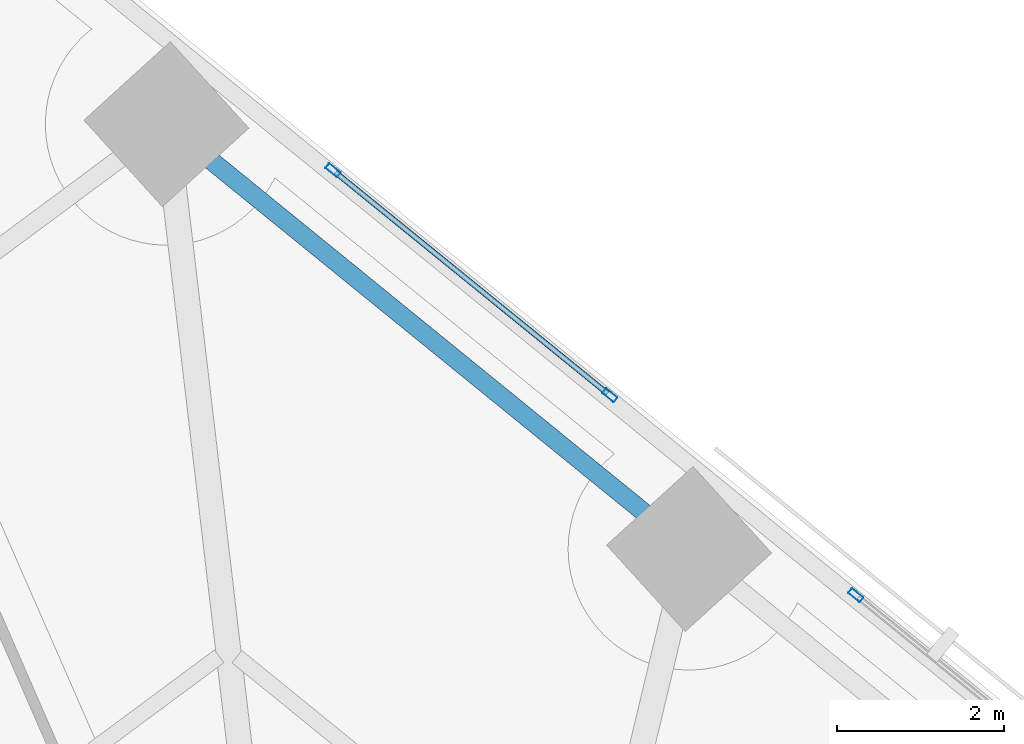
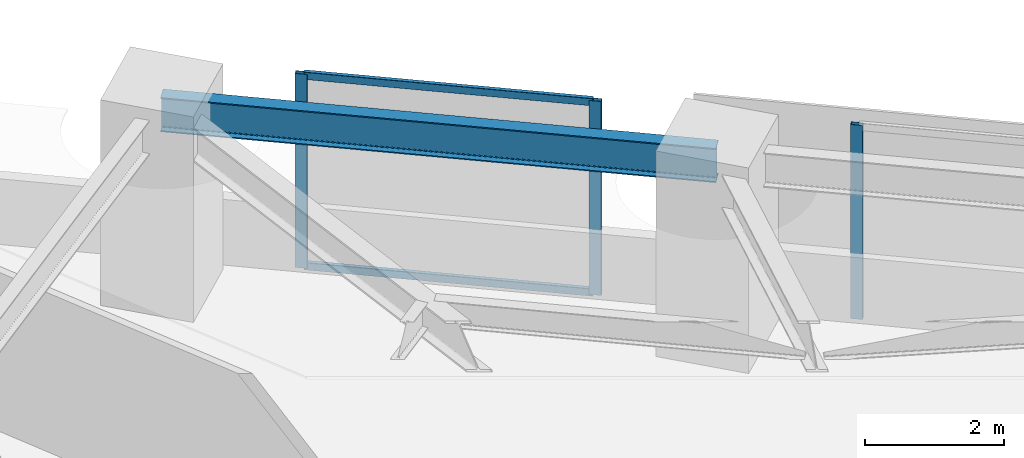
# One storey, part 9 of 17: 5 members, 1 beam, 2 elements without a shape of their own.
"""IFC4 building model written with IfcOpenShell, lengths in metres."""

from ifc_helpers import new_model, si_unit, direction, frame, origin, origin_2d, place, context, subcontext, project, spatial, hollow_rectangle, i_section, extrude, material, material_profile, profile_set, type_object, element, aggregate, save


model = new_model("IFC4")

# Units and contexts
model_context = context("Model", 3, precision=1e-05, world=origin(), true_north=direction((0.0, 1.0)))
body_context = subcontext(model_context, "Body", "Model", "MODEL_VIEW")
ifc_project = project(units=[si_unit("LENGTHUNIT", "METRE"), si_unit("AREAUNIT", "SQUARE_METRE"), si_unit("VOLUMEUNIT", "CUBIC_METRE"), si_unit("PLANEANGLEUNIT", "RADIAN"), si_unit("MASSUNIT", "GRAM", prefix="KILO")], contexts=[model_context])

# Site, building, storey
site_placement = place(None, origin())
site = spatial("IfcSite", under=ifc_project, at=site_placement, CompositionType="ELEMENT")
building_placement = place(site_placement, origin())
building = spatial("IfcBuilding", under=site, at=building_placement, Name="Narakoshi Arena Tower", CompositionType="ELEMENT")
storey_placement = place(building_placement, frame((0.0, 0.0, 48.300048828125)))
storey = spatial("IfcBuildingStorey", under=building, at=storey_placement, Name="L12", CompositionType="ELEMENT", Elevation=48.300048828125)

# Beam
ifc_material_1 = material(Name="Structural steel S355J2", Category="steel")
ifc_material_profile_1 = material_profile(ifc_material_1, i_section(OverallWidth=0.219970703125, OverallDepth=0.60009765625, WebThickness=0.011962890625, FlangeThickness=0.01904296875, FilletRadius=0.02392578125, at=origin_2d()), Name="IPE600")
ifc_profile_set_1 = profile_set([ifc_material_profile_1], Name="Structural steel S355J2")
beam_type = type_object("IfcBeamType", Name="BM-EDGE-600", PredefinedType="BEAM", material=ifc_profile_set_1)
beam_placement = place(storey_placement, frame((75.794189453125, 72.392333984375, 3.099853515625), z_axis=(-0.775993703931, 0.63074065309, 0.0), x_axis=(-0.63074065309, -0.775993703931, 0.0)))
element("IfcBeam", 1, at=beam_placement, inside=storey, type_object=beam_type, Name="L12 Perimeter Edge Girder 11", PredefinedType="BEAM", context=body_context, shape_type="SweptSolid", body=[
    extrude(i_section(OverallWidth=0.219970703125, OverallDepth=0.60009765625, WebThickness=0.011962890625, FlangeThickness=0.01904296875, FilletRadius=0.02392578125, at=origin_2d()), origin(), (0.0, 0.0, 1.0), 8.0712890625),
])

# Curtain wall, member
ifc_material_2 = material(Name="Anodised bronze aluminium 6063-T6", Category="aluminium")
curtain_wall_type = type_object("IfcCurtainWallType", Name="CW-HYP-LOW", PredefinedType="NOTDEFINED", material=ifc_material_2)
curtain_wall_1_placement = place(storey_placement, origin())
curtain_wall_1 = element("IfcCurtainWall", 2, at=curtain_wall_1_placement, inside=storey, type_object=curtain_wall_type, Name="L12 Folded Hypotenuse Curtain Wall 2-3", PredefinedType="NOTDEFINED")
ifc_material_profile_2 = material_profile(ifc_material_2, hollow_rectangle(XDim=0.074951171875, YDim=0.179931640625, WallThickness=0.00390625, OuterFilletRadius=0.0048828125, at=origin_2d()), Name="MUL180x75x4")
ifc_profile_set_2 = profile_set([ifc_material_profile_2], Name="Anodised bronze aluminium 6063-T6")
member_type_1 = type_object("IfcMemberType", Name="MEM-MUL-180", PredefinedType="MULLION", material=ifc_profile_set_2)
member_1_placement = place(storey_placement, frame((77.791015625, 71.8388671875, 0.0), z_axis=(0.0, 0.0, 1.0), x_axis=(-0.630722984816, -0.776008064665, 0.0)))
member_1 = element("IfcMember", 3, at=member_1_placement, type_object=member_type_1, Name="CW-01 mullion 2", PredefinedType="MULLION", context=body_context, shape_type="SweptSolid", body=[
    extrude(hollow_rectangle(XDim=0.074951171875, YDim=0.179931640625, WallThickness=0.00390625, OuterFilletRadius=0.0048828125, at=origin_2d()), origin(), (0.0, 0.0, 1.0), 3.39990234375),
])
aggregate(curtain_wall_1, [member_1])

# Curtain wall, members
curtain_wall_2_placement = place(storey_placement, origin())
curtain_wall_2 = element("IfcCurtainWall", 4, at=curtain_wall_2_placement, inside=storey, type_object=curtain_wall_type, Name="L12 Folded Hypotenuse Curtain Wall 2-4", PredefinedType="NOTDEFINED")
member_2_placement = place(storey_placement, frame((74.843994140625, 74.234130859375, 0.0), z_axis=(0.0, 0.0, 1.0), x_axis=(-0.630733728817, -0.775999332044, 0.0)))
member_2 = element("IfcMember", 5, at=member_2_placement, type_object=member_type_1, Name="CW-01 mullion 1", PredefinedType="MULLION", context=body_context, shape_type="SweptSolid", body=[
    extrude(hollow_rectangle(XDim=0.074951171875, YDim=0.179931640625, WallThickness=0.00390625, OuterFilletRadius=0.0048828125, at=origin_2d()), origin(), (0.0, 0.0, 1.0), 3.39990234375),
])
member_3_placement = place(storey_placement, frame((71.52783203125, 76.9296875, 0.0), z_axis=(0.0, 0.0, 1.0), x_axis=(-0.630733728817, -0.775999332044, 0.0)))
member_3 = element("IfcMember", 6, at=member_3_placement, type_object=member_type_1, Name="CW-01 mullion 2", PredefinedType="MULLION", context=body_context, shape_type="SweptSolid", body=[
    extrude(hollow_rectangle(XDim=0.074951171875, YDim=0.179931640625, WallThickness=0.00390625, OuterFilletRadius=0.0048828125, at=origin_2d()), origin(), (0.0, 0.0, 1.0), 3.39990234375),
])
ifc_material_profile_3 = material_profile(ifc_material_2, hollow_rectangle(XDim=0.06494140625, YDim=0.1298828125, WallThickness=0.00390625, OuterFilletRadius=0.0048828125, at=origin_2d()), Name="TRN130x65x4")
ifc_profile_set_3 = profile_set([ifc_material_profile_3], Name="Anodised bronze aluminium 6063-T6")
member_type_2 = type_object("IfcMemberType", Name="MEM-TRN-130", PredefinedType="USERDEFINED", material=ifc_profile_set_3)
member_4_placement = place(storey_placement, frame((74.81494140625, 74.2578125, 0.032470703125), z_axis=(-0.775994815564, 0.630739285457, 0.0), x_axis=(-0.630739285457, -0.775994815564, 0.0)))
member_4 = element("IfcMember", 7, at=member_4_placement, type_object=member_type_2, Name="CW-01 transom 1.1", ObjectType="TRANSOM", PredefinedType="USERDEFINED", context=body_context, shape_type="SweptSolid", body=[
    extrude(hollow_rectangle(XDim=0.06494140625, YDim=0.1298828125, WallThickness=0.00390625, OuterFilletRadius=0.0048828125, at=origin_2d()), origin(), (0.0, 0.0, 1.0), 4.198486328125),
])
member_5_placement = place(storey_placement, frame((74.81494140625, 74.2578125, 3.367431640625), z_axis=(-0.775994815564, 0.630739285457, 0.0), x_axis=(-0.630739285457, -0.775994815564, 0.0)))
member_5 = element("IfcMember", 8, at=member_5_placement, type_object=member_type_2, Name="CW-01 transom 1.2", ObjectType="TRANSOM", PredefinedType="USERDEFINED", context=body_context, shape_type="SweptSolid", body=[
    extrude(hollow_rectangle(XDim=0.06494140625, YDim=0.1298828125, WallThickness=0.00390625, OuterFilletRadius=0.0048828125, at=origin_2d()), origin(), (0.0, 0.0, 1.0), 4.198486328125),
])
aggregate(curtain_wall_2, [member_2, member_3, member_4, member_5])

save(model, "model.ifc")
